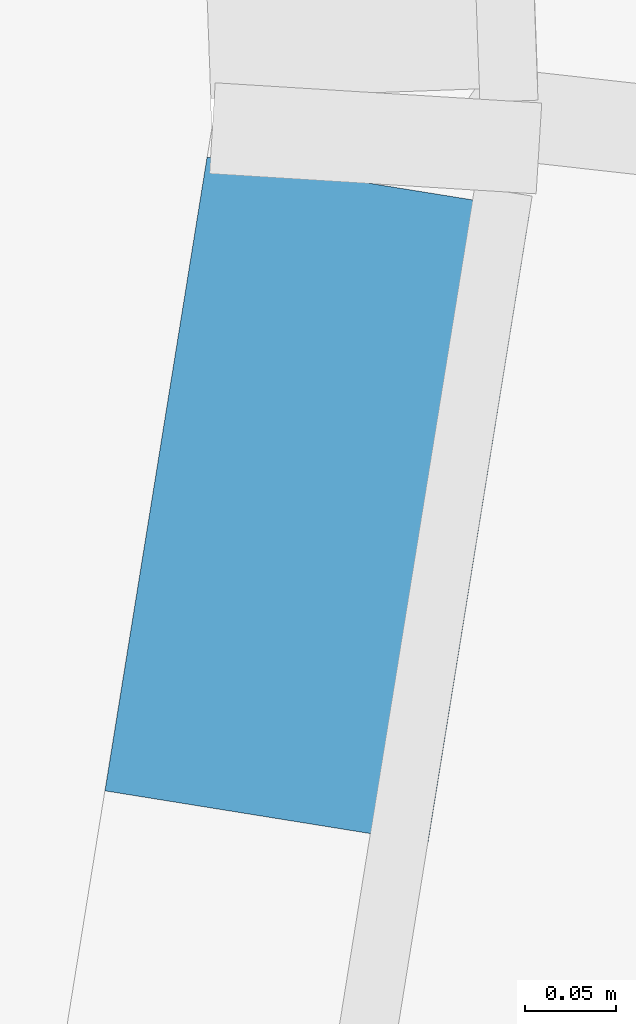
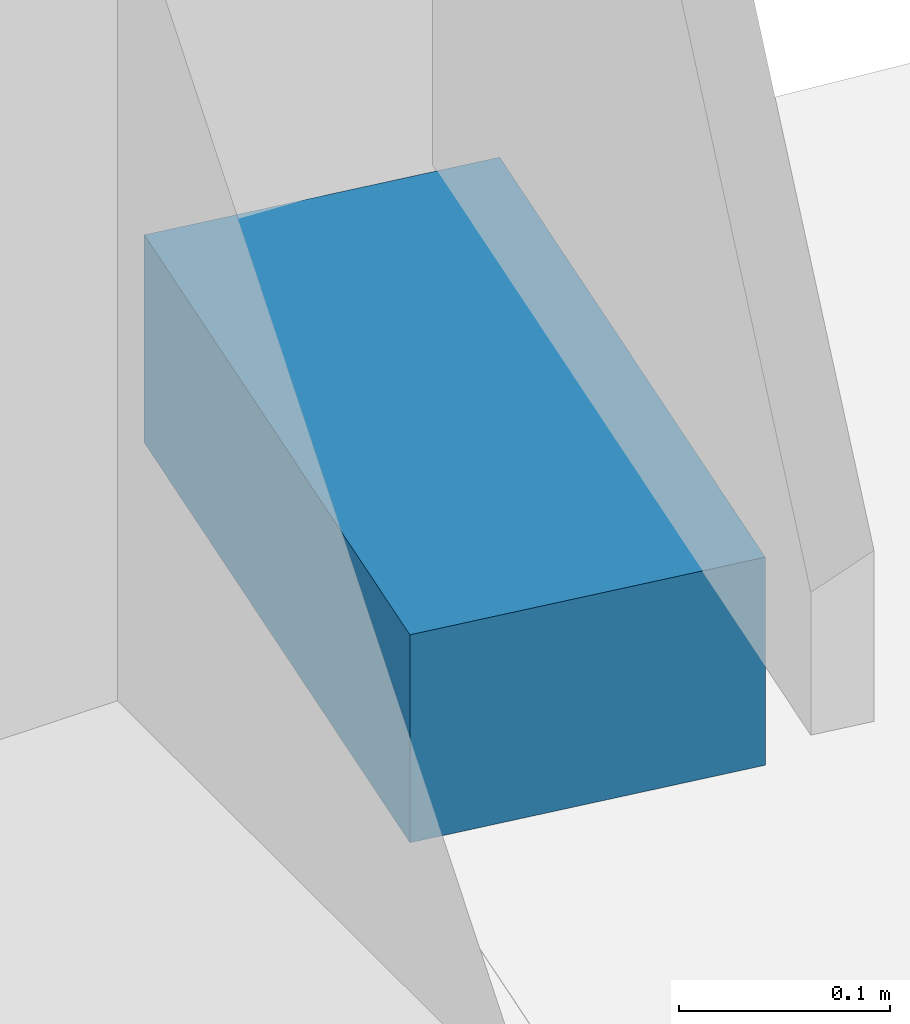
# One storey, part 14 of 32: 1 member, 1 element without a shape of its own.
"""IFC4 building model written with IfcOpenShell, lengths in metres."""

from ifc_helpers import new_model, si_unit, direction, frame, origin, origin_2d, place, context, subcontext, project, spatial, rectangle, extrude, material, material_profile, profile_set, type_object, element, aggregate, save


model = new_model("IFC4")

# Units and contexts
model_context = context("Model", 3, precision=1e-05, world=origin(), true_north=direction((0.0, 1.0)))
body_context = subcontext(model_context, "Body", "Model", "MODEL_VIEW")
ifc_project = project(units=[si_unit("LENGTHUNIT", "METRE"), si_unit("AREAUNIT", "SQUARE_METRE"), si_unit("VOLUMEUNIT", "CUBIC_METRE"), si_unit("PLANEANGLEUNIT", "RADIAN"), si_unit("MASSUNIT", "GRAM", prefix="KILO")], contexts=[model_context])

# Site, building, storey
site_placement = place(None, origin())
site = spatial("IfcSite", under=ifc_project, at=site_placement, CompositionType="ELEMENT")
building_placement = place(site_placement, origin())
building = spatial("IfcBuilding", under=site, at=building_placement, Name="Orlundy Tower", CompositionType="ELEMENT")
storey_placement = place(building_placement, frame((0.0, 0.0, 123.699951171875)))
storey = spatial("IfcBuildingStorey", under=building, at=storey_placement, Name="L31", CompositionType="ELEMENT", Elevation=123.699951171875)

# Curtain wall, member
ifc_material_1 = material(Name="Aluminium bronze anodised", Category="aluminium")
curtain_wall_type = type_object("IfcCurtainWallType", Name="CW1 wall", PredefinedType="NOTDEFINED", material=ifc_material_1)
curtain_wall_placement = place(storey_placement, origin())
curtain_wall = element("IfcCurtainWall", 1, at=curtain_wall_placement, inside=storey, type_object=curtain_wall_type, Name="CW1 run 011", PredefinedType="NOTDEFINED")
ifc_material_2 = material(Name="Aluminium bronze anodised", Category="aluminium")
ifc_material_profile = material_profile(ifc_material_2, rectangle(XDim=0.179931640625, YDim=0.1201171875, at=origin_2d()), Name="CW1 transom 180x120")
ifc_profile_set = profile_set([ifc_material_profile], Name="Aluminium bronze anodised")
member_type = type_object("IfcMemberType", Name="CW1 transom 180x120", PredefinedType="USERDEFINED", material=ifc_profile_set)
member_placement = place(storey_placement, frame((60.499267578125, 0.856689453125, 0.06005859375), z_axis=(-0.15901506716, -0.987276156106, 0.0), x_axis=(0.987276156106, -0.15901506716, 0.0)))
member = element("IfcMember", 2, at=member_placement, type_object=member_type, Name="CW1 transom", ObjectType="TRANSOM", PredefinedType="USERDEFINED", context=body_context, shape_type="SweptSolid", body=[
    extrude(rectangle(XDim=0.179931640625, YDim=0.1201171875, at=origin_2d()), origin(), (0.0, 0.0, 1.0), 0.35302734375),
])
aggregate(curtain_wall, [member])

save(model, "model.ifc")
